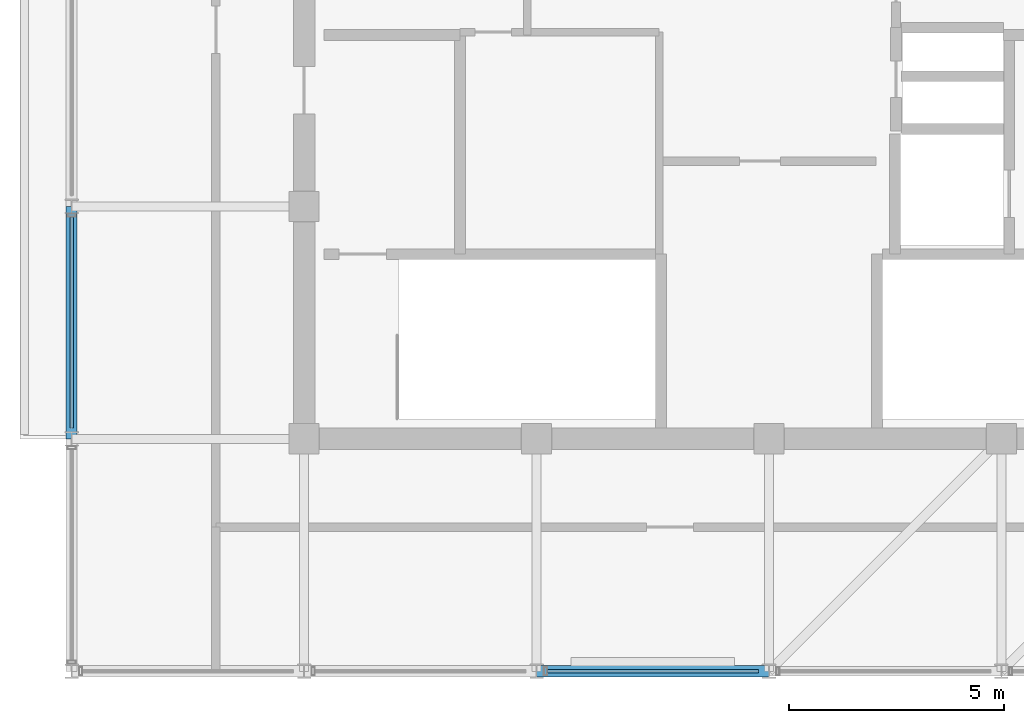
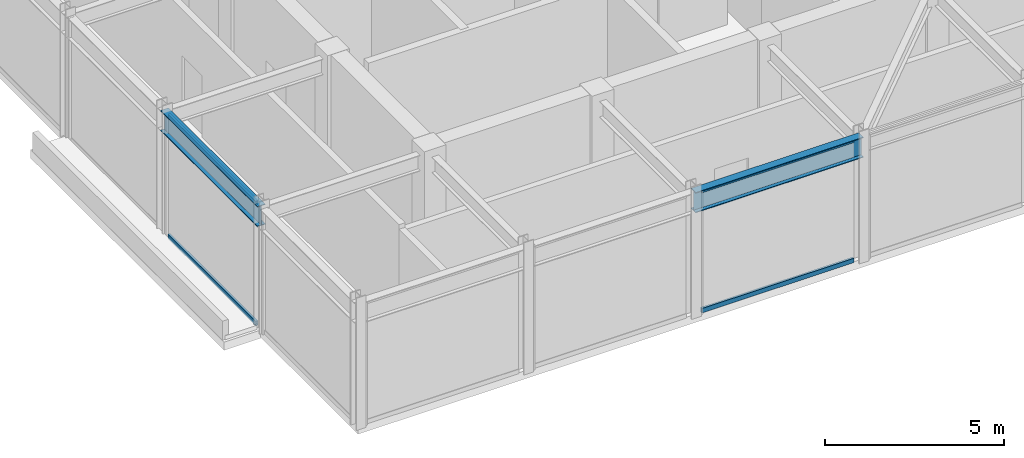
# One storey, part 3 of 18: 4 members, 2 beams, 2 elements without a shape of their own.
"""IFC4 building model written with IfcOpenShell, lengths in metres."""

from ifc_helpers import new_model, si_unit, direction, frame, origin, origin_2d, place, context, subcontext, project, spatial, hollow_rectangle, i_section, extrude, material, layer, layer_set, material_profile, profile_set, type_object, element, aggregate, save


model = new_model("IFC4")

# Units and contexts
model_context = context("Model", 3, precision=1e-05, world=origin(), true_north=direction((0.0, 1.0)))
body_context = subcontext(model_context, "Body", "Model", "MODEL_VIEW")
ifc_project = project(units=[si_unit("LENGTHUNIT", "METRE"), si_unit("AREAUNIT", "SQUARE_METRE"), si_unit("VOLUMEUNIT", "CUBIC_METRE"), si_unit("PLANEANGLEUNIT", "RADIAN"), si_unit("MASSUNIT", "GRAM", prefix="KILO")], contexts=[model_context])

# Site, building, storey
site_placement = place(None, origin())
site = spatial("IfcSite", under=ifc_project, at=site_placement, CompositionType="ELEMENT")
building_placement = place(site_placement, origin())
building = spatial("IfcBuilding", under=site, at=building_placement, Name="Surkhivell Harbour Commons", CompositionType="ELEMENT")
storey_placement = place(building_placement, frame((0.0, 0.0, 360.0)))
storey = spatial("IfcBuildingStorey", under=building, at=storey_placement, Name="L93", CompositionType="ELEMENT", Elevation=360.0)

# Beams
ifc_material_1 = material(Name="Steel S355", Category="steel")
ifc_material_profile_1 = material_profile(ifc_material_1, i_section(OverallWidth=0.256103515625, OverallDepth=0.693115234375, WebThickness=0.014404296875, FlangeThickness=0.023681640625, at=origin_2d()), Name="UB686x254x170")
ifc_profile_set_1 = profile_set([ifc_material_profile_1], Name="Steel S355")
beam_type = type_object("IfcBeamType", Name="BM-SPN-686", PredefinedType="SPANDREL", material=ifc_profile_set_1)
beam_1_placement = place(storey_placement, frame((-16.199951171875, -10.800048828125, 3.8935546875), z_axis=(0.0, 1.0, 0.0), x_axis=(-1.0, 0.0, 0.0)))
element("IfcBeam", 1, at=beam_1_placement, inside=storey, type_object=beam_type, Name="L93 Tube Spandrel (-16.2,-10.8)", PredefinedType="SPANDREL", context=body_context, shape_type="SweptSolid", body=[
    extrude(i_section(OverallWidth=0.256103515625, OverallDepth=0.693115234375, WebThickness=0.014404296875, FlangeThickness=0.023681640625, at=origin_2d()), origin(), (0.0, 0.0, 1.0), 5.400146484375),
])
beam_2_placement = place(storey_placement, frame((-5.39990234375, -16.199951171875, 3.8935546875), z_axis=(1.0, 0.0, 0.0), x_axis=(0.0, 1.0, 0.0)))
element("IfcBeam", 2, at=beam_2_placement, inside=storey, type_object=beam_type, Name="L93 Tube Spandrel (-5.4,-16.2)", PredefinedType="SPANDREL", context=body_context, shape_type="SweptSolid", body=[
    extrude(i_section(OverallWidth=0.256103515625, OverallDepth=0.693115234375, WebThickness=0.014404296875, FlangeThickness=0.023681640625, at=origin_2d()), origin(), (0.0, 0.0, 1.0), 5.39990234375),
])

# Curtain wall, members
ifc_material_2 = material(Name="Anodised pale-metal aluminium and insulated glazing", Category="aluminium")
ifc_layer = layer(ifc_material_2, 0.22998046875)
ifc_layer_set = layer_set([ifc_layer], Name="Anodised pale-metal aluminium and insulated glazing")
curtain_wall_type = type_object("IfcCurtainWallType", Name="CW-SYS-CRN", PredefinedType="NOTDEFINED", material=ifc_layer_set)
curtain_wall_1_placement = place(storey_placement, origin())
curtain_wall_1 = element("IfcCurtainWall", 3, at=curtain_wall_1_placement, inside=storey, type_object=curtain_wall_type, Name="L93 Curtain Wall CW-L93-C00", PredefinedType="NOTDEFINED")
ifc_material_3 = material(Name="Anodised pale-metal aluminium alloy 6063-T6", Category="aluminium")
ifc_material_profile_2 = material_profile(ifc_material_3, hollow_rectangle(XDim=0.074951171875, YDim=0.14990234375, WallThickness=0.00341796875, at=origin_2d()), Name="ALU-TRAN-75x150")
ifc_profile_set_2 = profile_set([ifc_material_profile_2], Name="Anodised pale-metal aluminium alloy 6063-T6")
member_type = type_object("IfcMemberType", Name="CWT-150", PredefinedType="USERDEFINED", material=ifc_profile_set_2)
member_1_placement = place(storey_placement, frame((-5.153076171875, -16.199951171875, 0.074951171875), z_axis=(1.0, 0.0, 0.0), x_axis=(0.0, 1.0, 0.0)))
member_1 = element("IfcMember", 4, at=member_1_placement, type_object=member_type, Name="CW-CRN transom 3.1", ObjectType="TRANSOM", PredefinedType="USERDEFINED", context=body_context, shape_type="SweptSolid", body=[
    extrude(hollow_rectangle(XDim=0.074951171875, YDim=0.14990234375, WallThickness=0.00341796875, at=origin_2d()), origin(), (0.0, 0.0, 1.0), 4.906005859375),
])
member_2_placement = place(storey_placement, frame((-5.153076171875, -16.199951171875, 4.1650390625), z_axis=(1.0, 0.0, 0.0), x_axis=(0.0, 1.0, 0.0)))
member_2 = element("IfcMember", 5, at=member_2_placement, type_object=member_type, Name="CW-CRN transom 3.2", ObjectType="TRANSOM", PredefinedType="USERDEFINED", context=body_context, shape_type="SweptSolid", body=[
    extrude(hollow_rectangle(XDim=0.074951171875, YDim=0.14990234375, WallThickness=0.00341796875, at=origin_2d()), origin(), (0.0, 0.0, 1.0), 4.906005859375),
])
aggregate(curtain_wall_1, [member_1, member_2])

curtain_wall_2_placement = place(storey_placement, origin())
curtain_wall_2 = element("IfcCurtainWall", 6, at=curtain_wall_2_placement, inside=storey, type_object=curtain_wall_type, Name="L93 Curtain Wall CW-L93-C03S1", PredefinedType="NOTDEFINED")
member_3_placement = place(storey_placement, frame((-16.199951171875, -5.64697265625, 0.074951171875), z_axis=(0.0, -1.0, 0.0), x_axis=(1.0, 0.0, 0.0)))
member_3 = element("IfcMember", 7, at=member_3_placement, type_object=member_type, Name="CW-CRN transom 5.1", ObjectType="TRANSOM", PredefinedType="USERDEFINED", context=body_context, shape_type="SweptSolid", body=[
    extrude(hollow_rectangle(XDim=0.074951171875, YDim=0.14990234375, WallThickness=0.00341796875, at=origin_2d()), origin(), (0.0, 0.0, 1.0), 4.906005859375),
])
member_4_placement = place(storey_placement, frame((-16.199951171875, -5.64697265625, 4.1650390625), z_axis=(0.0, -1.0, 0.0), x_axis=(1.0, 0.0, 0.0)))
member_4 = element("IfcMember", 8, at=member_4_placement, type_object=member_type, Name="CW-CRN transom 5.2", ObjectType="TRANSOM", PredefinedType="USERDEFINED", context=body_context, shape_type="SweptSolid", body=[
    extrude(hollow_rectangle(XDim=0.074951171875, YDim=0.14990234375, WallThickness=0.00341796875, at=origin_2d()), origin(), (0.0, 0.0, 1.0), 4.906005859375),
])
aggregate(curtain_wall_2, [member_3, member_4])

save(model, "model.ifc")
